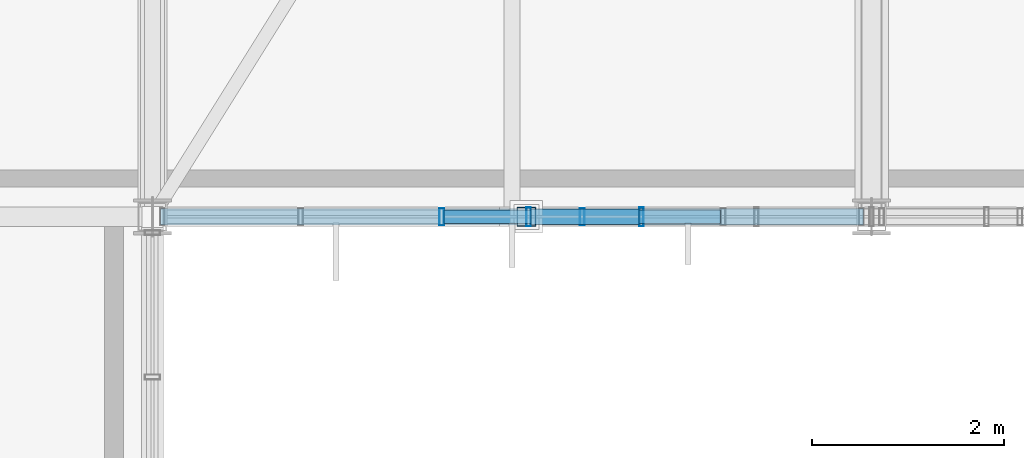
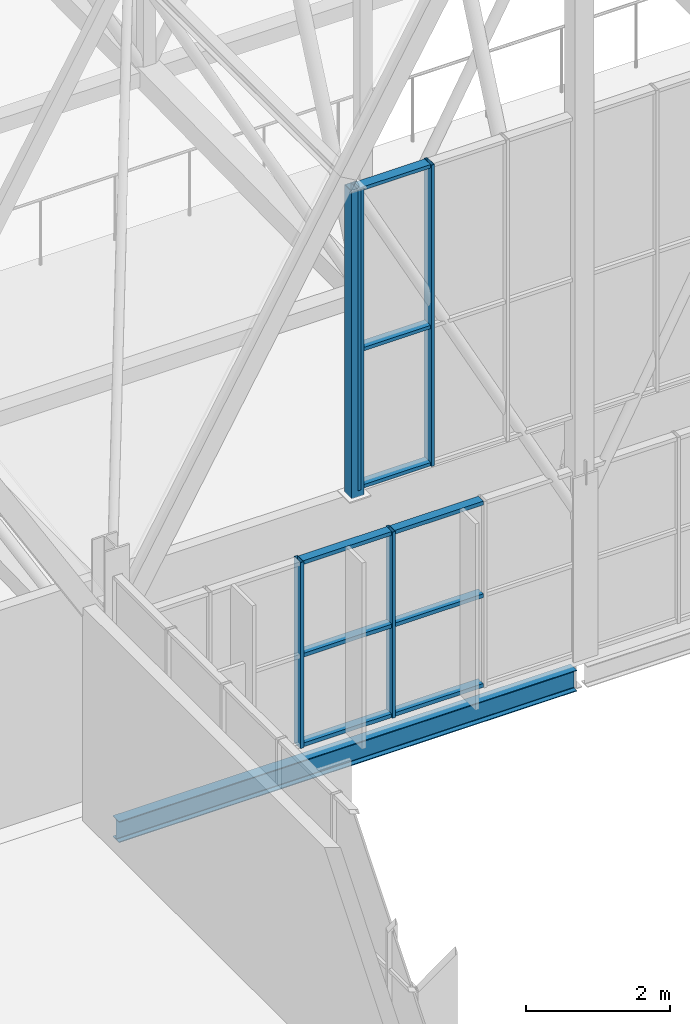
# One storey, part 97 of 324: 14 members, 1 beam, 2 elements without a shape of their own.
"""IFC4 building model written with IfcOpenShell, lengths in metres."""

from ifc_helpers import new_model, si_unit, direction, frame, origin, origin_2d, place, context, subcontext, project, spatial, hollow_rectangle, i_section, extrude, material, layer, layer_set, material_profile, profile_set, type_object, element, aggregate, save


model = new_model("IFC4")

# Units and contexts
model_context = context("Model", 3, precision=1e-05, world=origin(), true_north=direction((0.0, 1.0)))
body_context = subcontext(model_context, "Body", "Model", "MODEL_VIEW")
ifc_project = project(units=[si_unit("LENGTHUNIT", "METRE"), si_unit("AREAUNIT", "SQUARE_METRE"), si_unit("VOLUMEUNIT", "CUBIC_METRE"), si_unit("PLANEANGLEUNIT", "RADIAN"), si_unit("MASSUNIT", "GRAM", prefix="KILO")], contexts=[model_context])

# Site, building, storey
site_placement = place(None, origin())
site = spatial("IfcSite", under=ifc_project, at=site_placement, CompositionType="ELEMENT")
building_placement = place(site_placement, origin())
building = spatial("IfcBuilding", under=site, at=building_placement, Name="Solvenia Promenade Tram Depot", CompositionType="ELEMENT")
storey_placement = place(building_placement, frame((0.0, 0.0, 4.5)))
storey = spatial("IfcBuildingStorey", under=building, at=storey_placement, Name="L01", CompositionType="ELEMENT", Elevation=4.5)

# Curtain wall, members
ifc_material_1 = material(Name="Anodized aluminium AW-6063 T6", Category="aluminium")
ifc_layer_1 = layer(ifc_material_1, 0.159912109375, Name="Anodized aluminium AW-6063 T6", Category="aluminium")
ifc_layer_set_1 = layer_set([ifc_layer_1], Name="Anodized aluminium AW-6063 T6")
curtain_wall_type_1 = type_object("IfcCurtainWallType", Name="CW-Channel-1500", PredefinedType="NOTDEFINED", material=ifc_layer_set_1)
curtain_wall_1_placement = place(storey_placement, origin())
curtain_wall_1 = element("IfcCurtainWall", 1, at=curtain_wall_1_placement, inside=storey, type_object=curtain_wall_type_1, Name="Curtain Wall CW-V1S1-01", PredefinedType="NOTDEFINED")
ifc_material_profile_1 = material_profile(ifc_material_1, hollow_rectangle(XDim=0.179931640625, YDim=0.050048828125, WallThickness=0.00390625, at=origin_2d()), Name="ALU-M2", Category="aluminium")
ifc_profile_set_1 = profile_set([ifc_material_profile_1], Name="Anodized aluminium AW-6063 T6")
member_type_1 = type_object("IfcMemberType", Name="CWM-Mullion-2", PredefinedType="MULLION", material=ifc_profile_set_1)
member_1_placement = place(storey_placement, frame((48.01611328125, 66.0, 0.0), z_axis=(0.0, 0.0, 1.0), x_axis=(0.0, 1.0, 0.0)))
member_1 = element("IfcMember", 2, at=member_1_placement, type_object=member_type_1, Name="CW-2 mullion 3", PredefinedType="MULLION", context=body_context, shape_type="SweptSolid", body=[
    extrude(hollow_rectangle(XDim=0.179931640625, YDim=0.050048828125, WallThickness=0.00390625, at=origin_2d()), origin(), (0.0, 0.0, 1.0), 3.14990234375),
])
member_2_placement = place(storey_placement, frame((49.48388671875, 66.0, 0.0), z_axis=(0.0, 0.0, 1.0), x_axis=(0.0, 1.0, 0.0)))
member_2 = element("IfcMember", 3, at=member_2_placement, type_object=member_type_1, Name="CW-2 mullion 4", PredefinedType="MULLION", context=body_context, shape_type="SweptSolid", body=[
    extrude(hollow_rectangle(XDim=0.179931640625, YDim=0.050048828125, WallThickness=0.00390625, at=origin_2d()), origin(), (0.0, 0.0, 1.0), 3.14990234375),
])

ifc_layer_2 = layer(ifc_material_1, 0.14990234375, Name="Anodized aluminium AW-6063 T6", Category="aluminium")
ifc_layer_set_2 = layer_set([ifc_layer_2], Name="Anodized aluminium AW-6063 T6")
curtain_wall_type_2 = type_object("IfcCurtainWallType", Name="CW-Gable-1200", PredefinedType="NOTDEFINED", material=ifc_layer_set_2)
curtain_wall_2_placement = place(storey_placement, origin())
curtain_wall_2 = element("IfcCurtainWall", 4, at=curtain_wall_2_placement, inside=storey, type_object=curtain_wall_type_2, Name="South Zigzag Gable 04 Peak Glazing", PredefinedType="NOTDEFINED")
ifc_material_profile_2 = material_profile(ifc_material_1, hollow_rectangle(XDim=0.199951171875, YDim=0.048095703125, WallThickness=0.00390625, at=origin_2d()), Name="ALU-M3", Category="aluminium")
ifc_profile_set_2 = profile_set([ifc_material_profile_2], Name="Anodized aluminium AW-6063 T6")
member_type_2 = type_object("IfcMemberType", Name="CWM-Mullion-3", PredefinedType="MULLION", material=ifc_profile_set_2)
member_3_placement = place(storey_placement, frame((48.924072265625, 66.0, 4.050048828125), z_axis=(0.0, 0.0, 1.0), x_axis=(0.0, 1.0, 0.0)))
member_3 = element("IfcMember", 5, at=member_3_placement, type_object=member_type_2, Name="CW-3 mullion 1", PredefinedType="MULLION", context=body_context, shape_type="SweptSolid", body=[
    extrude(hollow_rectangle(XDim=0.199951171875, YDim=0.048095703125, WallThickness=0.00390625, at=origin_2d()), origin(), (0.0, 0.0, 1.0), 5.099853515625),
])
member_4_placement = place(storey_placement, frame((50.10009765625, 66.0, 4.050048828125), z_axis=(0.0, 0.0, 1.0), x_axis=(0.0, 1.0, 0.0)))
member_4 = element("IfcMember", 6, at=member_4_placement, type_object=member_type_2, Name="CW-3 mullion 2", PredefinedType="MULLION", context=body_context, shape_type="SweptSolid", body=[
    extrude(hollow_rectangle(XDim=0.199951171875, YDim=0.048095703125, WallThickness=0.00390625, at=origin_2d()), origin(), (0.0, 0.0, 1.0), 5.099853515625),
])

# Member
ifc_material_profile_3 = material_profile(ifc_material_1, hollow_rectangle(XDim=0.139892578125, YDim=0.06494140625, WallThickness=0.00390625, at=origin_2d()), Name="ALU-T2", Category="aluminium")
ifc_profile_set_3 = profile_set([ifc_material_profile_3], Name="Anodized aluminium AW-6063 T6")
member_type_3 = type_object("IfcMemberType", Name="CWT-Transom-2", PredefinedType="USERDEFINED", material=ifc_profile_set_3)
member_5_placement = place(storey_placement, frame((48.041015625, 66.0, 0.032470703125), z_axis=(1.0, 0.0, 0.0), x_axis=(0.0, 1.0, 0.0)))
member_5 = element("IfcMember", 7, at=member_5_placement, type_object=member_type_3, Name="CW-2 transom 3.1", ObjectType="TRANSOM", PredefinedType="USERDEFINED", context=body_context, shape_type="SweptSolid", body=[
    extrude(hollow_rectangle(XDim=0.139892578125, YDim=0.06494140625, WallThickness=0.00390625, at=origin_2d()), origin(), (0.0, 0.0, 1.0), 1.41796875),
])

member_6_placement = place(storey_placement, frame((48.041015625, 66.0, 1.550048828125), z_axis=(1.0, 0.0, 0.0), x_axis=(0.0, 1.0, 0.0)))
member_6 = element("IfcMember", 8, at=member_6_placement, type_object=member_type_3, Name="CW-2 transom 3.2", ObjectType="TRANSOM", PredefinedType="USERDEFINED", context=body_context, shape_type="SweptSolid", body=[
    extrude(hollow_rectangle(XDim=0.139892578125, YDim=0.06494140625, WallThickness=0.00390625, at=origin_2d()), origin(), (0.0, 0.0, 1.0), 1.41796875),
])

member_7_placement = place(storey_placement, frame((48.041015625, 66.0, 3.117431640625), z_axis=(1.0, 0.0, 0.0), x_axis=(0.0, 1.0, 0.0)))
member_7 = element("IfcMember", 9, at=member_7_placement, type_object=member_type_3, Name="CW-2 transom 3.3", ObjectType="TRANSOM", PredefinedType="USERDEFINED", context=body_context, shape_type="SweptSolid", body=[
    extrude(hollow_rectangle(XDim=0.139892578125, YDim=0.06494140625, WallThickness=0.00390625, at=origin_2d()), origin(), (0.0, 0.0, 1.0), 1.41796875),
])

member_8_placement = place(storey_placement, frame((49.509033203125, 66.0, 0.032470703125), z_axis=(1.0, 0.0, 0.0), x_axis=(0.0, 1.0, 0.0)))
member_8 = element("IfcMember", 10, at=member_8_placement, type_object=member_type_3, Name="CW-2 transom 4.1", ObjectType="TRANSOM", PredefinedType="USERDEFINED", context=body_context, shape_type="SweptSolid", body=[
    extrude(hollow_rectangle(XDim=0.139892578125, YDim=0.06494140625, WallThickness=0.00390625, at=origin_2d()), origin(), (0.0, 0.0, 1.0), 1.41796875),
])

member_9_placement = place(storey_placement, frame((49.509033203125, 66.0, 1.550048828125), z_axis=(1.0, 0.0, 0.0), x_axis=(0.0, 1.0, 0.0)))
member_9 = element("IfcMember", 11, at=member_9_placement, type_object=member_type_3, Name="CW-2 transom 4.2", ObjectType="TRANSOM", PredefinedType="USERDEFINED", context=body_context, shape_type="SweptSolid", body=[
    extrude(hollow_rectangle(XDim=0.139892578125, YDim=0.06494140625, WallThickness=0.00390625, at=origin_2d()), origin(), (0.0, 0.0, 1.0), 1.41796875),
])

member_10_placement = place(storey_placement, frame((49.509033203125, 66.0, 3.117431640625), z_axis=(1.0, 0.0, 0.0), x_axis=(0.0, 1.0, 0.0)))
member_10 = element("IfcMember", 12, at=member_10_placement, type_object=member_type_3, Name="CW-2 transom 4.3", ObjectType="TRANSOM", PredefinedType="USERDEFINED", context=body_context, shape_type="SweptSolid", body=[
    extrude(hollow_rectangle(XDim=0.139892578125, YDim=0.06494140625, WallThickness=0.00390625, at=origin_2d()), origin(), (0.0, 0.0, 1.0), 1.41796875),
])

aggregate(curtain_wall_1, [member_1, member_2, member_5, member_6, member_7, member_8, member_9, member_10])

ifc_material_profile_4 = material_profile(ifc_material_1, hollow_rectangle(XDim=0.159912109375, YDim=0.05810546875, WallThickness=0.00390625, at=origin_2d()), Name="ALU-T3", Category="aluminium")
ifc_profile_set_4 = profile_set([ifc_material_profile_4], Name="Anodized aluminium AW-6063 T6")
member_type_4 = type_object("IfcMemberType", Name="CWT-Transom-3", PredefinedType="USERDEFINED", material=ifc_profile_set_4)
member_11_placement = place(storey_placement, frame((48.947998046875, 66.0, 4.0791015625), z_axis=(1.0, 0.0, 0.0), x_axis=(0.0, 1.0, 0.0)))
member_11 = element("IfcMember", 13, at=member_11_placement, type_object=member_type_4, Name="CW-3 transom 1.1", ObjectType="TRANSOM", PredefinedType="USERDEFINED", context=body_context, shape_type="SweptSolid", body=[
    extrude(hollow_rectangle(XDim=0.159912109375, YDim=0.05810546875, WallThickness=0.00390625, at=origin_2d()), origin(), (0.0, 0.0, 1.0), 1.1279296875),
])

member_12_placement = place(storey_placement, frame((48.947998046875, 66.0, 6.39990234375), z_axis=(1.0, 0.0, 0.0), x_axis=(0.0, 1.0, 0.0)))
member_12 = element("IfcMember", 14, at=member_12_placement, type_object=member_type_4, Name="CW-3 transom 1.2", ObjectType="TRANSOM", PredefinedType="USERDEFINED", context=body_context, shape_type="SweptSolid", body=[
    extrude(hollow_rectangle(XDim=0.159912109375, YDim=0.05810546875, WallThickness=0.00390625, at=origin_2d()), origin(), (0.0, 0.0, 1.0), 1.1279296875),
])

member_13_placement = place(storey_placement, frame((48.947998046875, 66.0, 9.12109375), z_axis=(1.0, 0.0, 0.0), x_axis=(0.0, 1.0, 0.0)))
member_13 = element("IfcMember", 15, at=member_13_placement, type_object=member_type_4, Name="CW-3 transom 1.3", ObjectType="TRANSOM", PredefinedType="USERDEFINED", context=body_context, shape_type="SweptSolid", body=[
    extrude(hollow_rectangle(XDim=0.159912109375, YDim=0.05810546875, WallThickness=0.00390625, at=origin_2d()), origin(), (0.0, 0.0, 1.0), 1.1279296875),
])

aggregate(curtain_wall_2, [member_3, member_4, member_11, member_12, member_13])

ifc_material_2 = material(Name="Structural steel ASTM A500 Gr. C", Category="steel")
ifc_material_profile_5 = material_profile(ifc_material_2, hollow_rectangle(XDim=0.199951171875, YDim=0.199951171875, WallThickness=0.010009765625, at=origin_2d()), Name="HSS200x200x10", Category="steel")
ifc_profile_set_5 = profile_set([ifc_material_profile_5], Name="Structural steel ASTM A500 Gr. C")
member_type_5 = type_object("IfcMemberType", Name="Post-HSS200x200x10", PredefinedType="POST", material=ifc_profile_set_5)
member_14_placement = place(storey_placement, frame((48.89990234375, 66.0, 3.949951171875), z_axis=(0.0, 0.0, 1.0), x_axis=(1.0, 0.0, 0.0)))
element("IfcMember", 16, at=member_14_placement, inside=storey, type_object=member_type_5, Name="Gable Curtain-Wall Steel Jamb Post 015", PredefinedType="POST", context=body_context, shape_type="SweptSolid", body=[
    extrude(hollow_rectangle(XDim=0.199951171875, YDim=0.199951171875, WallThickness=0.010009765625, at=origin_2d()), origin(), (0.0, 0.0, 1.0), 5.199951171875),
])

# Beam
ifc_material_3 = material(Name="Structural steel ASTM A992 Gr. 50", Category="steel")
ifc_material_profile_6 = material_profile(ifc_material_3, i_section(OverallWidth=0.172119140625, OverallDepth=0.35791015625, WebThickness=0.0078125, FlangeThickness=0.01318359375, FilletRadius=0.010986328125, at=origin_2d()), Name="W360x57", Category="steel")
ifc_profile_set_6 = profile_set([ifc_material_profile_6], Name="Structural steel ASTM A992 Gr. 50")
beam_type = type_object("IfcBeamType", Name="Spandrel-W360x57", PredefinedType="SPANDREL", material=ifc_profile_set_6)
beam_placement = place(storey_placement, frame((45.0849609375, 66.0, -0.39892578125), z_axis=(1.0, 0.0, 0.0), x_axis=(0.0, 1.0, 0.0)))
element("IfcBeam", 17, at=beam_placement, inside=storey, type_object=beam_type, Name="Perimeter Spandrel BM-L01-0007", PredefinedType="SPANDREL", context=body_context, shape_type="SweptSolid", body=[
    extrude(i_section(OverallWidth=0.172119140625, OverallDepth=0.35791015625, WebThickness=0.0078125, FlangeThickness=0.01318359375, FilletRadius=0.010986328125, at=origin_2d()), origin(), (0.0, 0.0, 1.0), 7.330078125),
])

save(model, "model.ifc")
